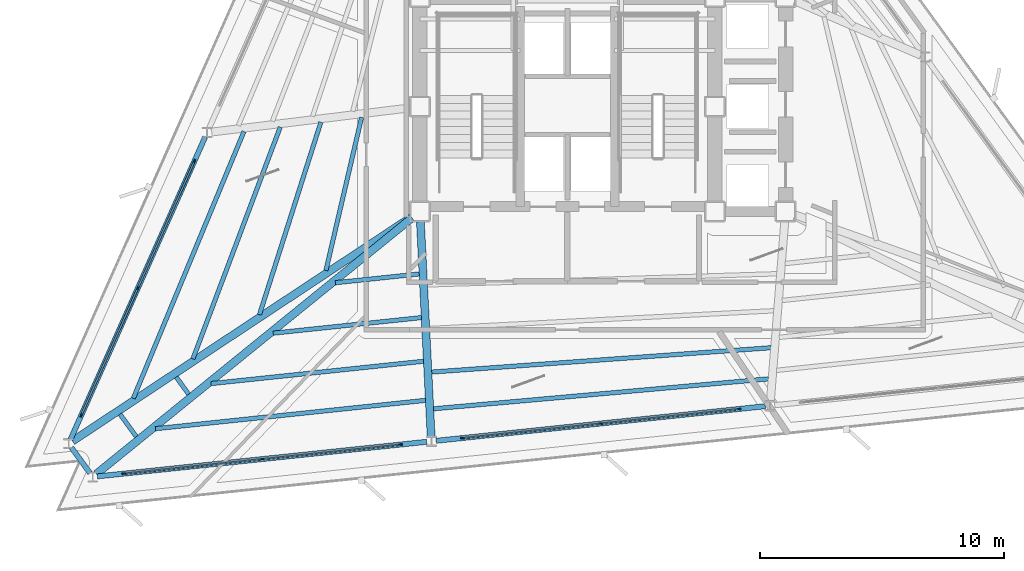
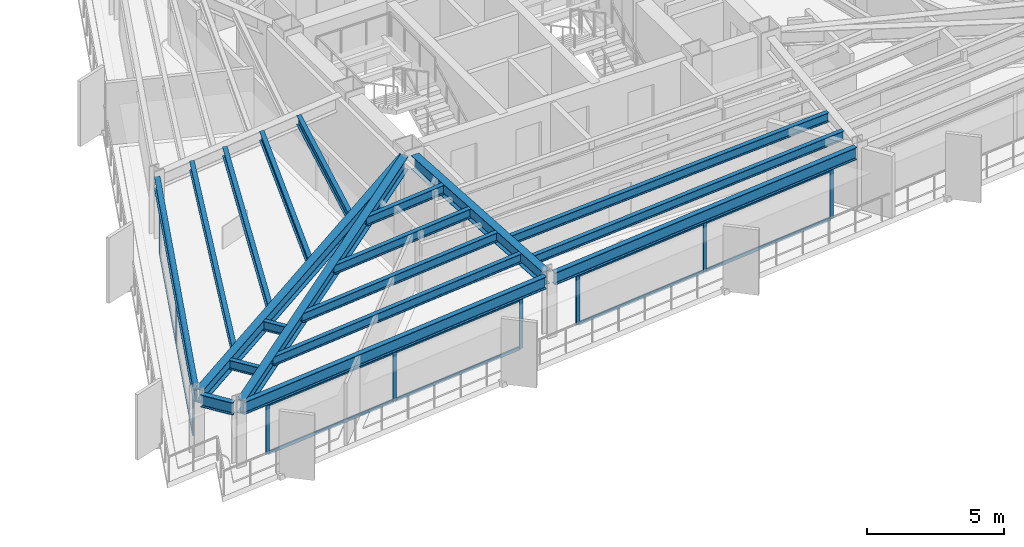
# One storey, part 2 of 13: 21 members, 19 beams, 3 elements without a shape of their own.
"""IFC4 building model written with IfcOpenShell, lengths in metres."""

from ifc_helpers import new_model, si_unit, direction, frame, origin, origin_2d, place, context, subcontext, project, spatial, rectangle, i_section, extrude, material, layer, layer_set, material_profile, profile_set, type_object, element, aggregate, save


model = new_model("IFC4")

# Units and contexts
model_context = context("Model", 3, precision=1e-05, world=origin(), true_north=direction((0.0, 1.0)))
body_context = subcontext(model_context, "Body", "Model", "MODEL_VIEW")
ifc_project = project(units=[si_unit("LENGTHUNIT", "METRE"), si_unit("AREAUNIT", "SQUARE_METRE"), si_unit("VOLUMEUNIT", "CUBIC_METRE"), si_unit("PLANEANGLEUNIT", "RADIAN"), si_unit("MASSUNIT", "GRAM", prefix="KILO")], contexts=[model_context])

# Site, building, storey
site_placement = place(None, origin())
site = spatial("IfcSite", under=ifc_project, at=site_placement, CompositionType="ELEMENT")
building_placement = place(site_placement, origin())
building = spatial("IfcBuilding", under=site, at=building_placement, Name="Rocaltana Carrier Exchange", CompositionType="ELEMENT")
storey_placement = place(building_placement, frame((0.0, 0.0, 119.840087890625)))
storey = spatial("IfcBuildingStorey", under=building, at=storey_placement, Name="L37", CompositionType="ELEMENT", Elevation=119.840087890625)

# Curtain wall, members
ifc_material_1 = material(Name="Aluminium 6063-T6", Category="aluminium")
ifc_layer = layer(ifc_material_1, 0.14990234375)
ifc_layer_set = layer_set([ifc_layer], Name="Aluminium 6063-T6")
curtain_wall_type = type_object("IfcCurtainWallType", Name="Mid-Tower Unitised Curtain Wall CW-03", PredefinedType="NOTDEFINED", material=ifc_layer_set)
curtain_wall_1_placement = place(storey_placement, origin())
curtain_wall_1 = element("IfcCurtainWall", 1, at=curtain_wall_1_placement, inside=storey, type_object=curtain_wall_type, Name="L37 CW-03 Run CW-L37-F2S3", PredefinedType="NOTDEFINED")
ifc_material_2 = material(Name="Aluminium 6063-T6", Category="aluminium")
ifc_material_profile_1 = material_profile(ifc_material_2, rectangle(XDim=0.06005859375, YDim=0.14990234375, at=origin_2d()), Name="AL-60X150")
ifc_profile_set_1 = profile_set([ifc_material_profile_1], Name="Aluminium 6063-T6")
member_type_1 = type_object("IfcMemberType", Name="CW-03 Mullion AL-60X150", PredefinedType="MULLION", material=ifc_profile_set_1)
member_1_placement = place(storey_placement, frame((-15.299560546875, -2.2333984375, 0.0), z_axis=(0.0, 0.0, 1.0), x_axis=(0.913547031517, -0.406733108077, 0.0)))
member_1 = element("IfcMember", 2, at=member_1_placement, type_object=member_type_1, Name="CW-03 mullion 1", PredefinedType="MULLION", context=body_context, shape_type="SweptSolid", body=[
    extrude(rectangle(XDim=0.06005859375, YDim=0.14990234375, at=origin_2d()), origin(), (0.0, 0.0, 1.0), 2.218017578125),
])
member_2_placement = place(storey_placement, frame((-17.619140625, -7.44384765625, 0.0), z_axis=(0.0, 0.0, 1.0), x_axis=(0.913547031517, -0.406733108077, 0.0)))
member_2 = element("IfcMember", 3, at=member_2_placement, type_object=member_type_1, Name="CW-03 mullion 2", PredefinedType="MULLION", context=body_context, shape_type="SweptSolid", body=[
    extrude(rectangle(XDim=0.06005859375, YDim=0.14990234375, at=origin_2d()), origin(), (0.0, 0.0, 1.0), 2.218017578125),
])
member_3_placement = place(storey_placement, frame((-19.93896484375, -12.654052734375, 0.0), z_axis=(0.0, 0.0, 1.0), x_axis=(0.913547031517, -0.406733108077, 0.0)))
member_3 = element("IfcMember", 4, at=member_3_placement, type_object=member_type_1, Name="CW-03 mullion 3", PredefinedType="MULLION", context=body_context, shape_type="SweptSolid", body=[
    extrude(rectangle(XDim=0.06005859375, YDim=0.14990234375, at=origin_2d()), origin(), (0.0, 0.0, 1.0), 2.218017578125),
])

curtain_wall_2_placement = place(storey_placement, origin())
curtain_wall_2 = element("IfcCurtainWall", 5, at=curtain_wall_2_placement, inside=storey, type_object=curtain_wall_type, Name="L37 CW-03 Run CW-L37-F3S1", PredefinedType="NOTDEFINED")
member_4_placement = place(storey_placement, frame((-18.196044921875, -15.052734375, 0.0), z_axis=(0.0, 0.0, 1.0), x_axis=(-0.104521806959, 0.994522594952, 0.0)))
member_4 = element("IfcMember", 6, at=member_4_placement, type_object=member_type_1, Name="CW-03 mullion 1", PredefinedType="MULLION", context=body_context, shape_type="SweptSolid", body=[
    extrude(rectangle(XDim=0.06005859375, YDim=0.14990234375, at=origin_2d()), origin(), (0.0, 0.0, 1.0), 2.218017578125),
])
member_5_placement = place(storey_placement, frame((-12.524169921875, -14.45654296875, 0.0), z_axis=(0.0, 0.0, 1.0), x_axis=(-0.104521806959, 0.994522594952, 0.0)))
member_5 = element("IfcMember", 7, at=member_5_placement, type_object=member_type_1, Name="CW-03 mullion 2", PredefinedType="MULLION", context=body_context, shape_type="SweptSolid", body=[
    extrude(rectangle(XDim=0.06005859375, YDim=0.14990234375, at=origin_2d()), origin(), (0.0, 0.0, 1.0), 2.218017578125),
])
member_6_placement = place(storey_placement, frame((-6.85205078125, -13.860595703125, 0.0), z_axis=(0.0, 0.0, 1.0), x_axis=(-0.104521806959, 0.994522594952, 0.0)))
member_6 = element("IfcMember", 8, at=member_6_placement, type_object=member_type_1, Name="CW-03 mullion 3", PredefinedType="MULLION", context=body_context, shape_type="SweptSolid", body=[
    extrude(rectangle(XDim=0.06005859375, YDim=0.14990234375, at=origin_2d()), origin(), (0.0, 0.0, 1.0), 2.218017578125),
])

curtain_wall_3_placement = place(storey_placement, origin())
curtain_wall_3 = element("IfcCurtainWall", 9, at=curtain_wall_3_placement, inside=storey, type_object=curtain_wall_type, Name="L37 CW-03 Run CW-L37-F3S2", PredefinedType="NOTDEFINED")
member_7_placement = place(storey_placement, frame((-4.30615234375, -13.5927734375, 0.0), z_axis=(0.0, 0.0, 1.0), x_axis=(-0.104529526113, 0.994521783658, 0.0)))
member_7 = element("IfcMember", 10, at=member_7_placement, type_object=member_type_1, Name="CW-03 mullion 1", PredefinedType="MULLION", context=body_context, shape_type="SweptSolid", body=[
    extrude(rectangle(XDim=0.06005859375, YDim=0.14990234375, at=origin_2d()), origin(), (0.0, 0.0, 1.0), 2.218017578125),
])
member_8_placement = place(storey_placement, frame((1.365966796875, -12.99658203125, 0.0), z_axis=(0.0, 0.0, 1.0), x_axis=(-0.104529526113, 0.994521783658, 0.0)))
member_8 = element("IfcMember", 11, at=member_8_placement, type_object=member_type_1, Name="CW-03 mullion 2", PredefinedType="MULLION", context=body_context, shape_type="SweptSolid", body=[
    extrude(rectangle(XDim=0.06005859375, YDim=0.14990234375, at=origin_2d()), origin(), (0.0, 0.0, 1.0), 2.218017578125),
])
member_9_placement = place(storey_placement, frame((7.0380859375, -12.400634765625, 0.0), z_axis=(0.0, 0.0, 1.0), x_axis=(-0.104529526113, 0.994521783658, 0.0)))
member_9 = element("IfcMember", 12, at=member_9_placement, type_object=member_type_1, Name="CW-03 mullion 3", PredefinedType="MULLION", context=body_context, shape_type="SweptSolid", body=[
    extrude(rectangle(XDim=0.06005859375, YDim=0.14990234375, at=origin_2d()), origin(), (0.0, 0.0, 1.0), 2.218017578125),
])

# Member
ifc_material_3 = material(Name="Aluminium 6063-T6", Category="aluminium")
ifc_material_profile_2 = material_profile(ifc_material_3, rectangle(XDim=0.06005859375, YDim=0.14990234375, at=origin_2d()), Name="AL-60X150")
ifc_profile_set_2 = profile_set([ifc_material_profile_2], Name="Aluminium 6063-T6")
member_type_2 = type_object("IfcMemberType", Name="CW-03 Transom AL-60X150", PredefinedType="USERDEFINED", material=ifc_profile_set_2)
member_10_placement = place(storey_placement, frame((-15.311767578125, -2.260986328125, 0.030029296875), z_axis=(-0.406704359788, -0.913559830405, 0.0), x_axis=(0.913559830405, -0.406704359788, 0.0)))
member_10 = element("IfcMember", 13, at=member_10_placement, type_object=member_type_2, Name="CW-03 transom 1.1", ObjectType="TRANSOM", PredefinedType="USERDEFINED", context=body_context, shape_type="SweptSolid", body=[
    extrude(rectangle(XDim=0.06005859375, YDim=0.14990234375, at=origin_2d()), origin(), (0.0, 0.0, 1.0), 5.643310546875),
])

member_11_placement = place(storey_placement, frame((-15.311767578125, -2.260986328125, 2.18798828125), z_axis=(-0.406704359788, -0.913559830405, 0.0), x_axis=(0.913559830405, -0.406704359788, 0.0)))
member_11 = element("IfcMember", 14, at=member_11_placement, type_object=member_type_2, Name="CW-03 transom 1.2", ObjectType="TRANSOM", PredefinedType="USERDEFINED", context=body_context, shape_type="SweptSolid", body=[
    extrude(rectangle(XDim=0.06005859375, YDim=0.14990234375, at=origin_2d()), origin(), (0.0, 0.0, 1.0), 5.643310546875),
])

member_12_placement = place(storey_placement, frame((-17.63134765625, -7.47119140625, 0.030029296875), z_axis=(-0.406740464784, -0.913543756099, 0.0), x_axis=(0.913543756099, -0.406740464784, 0.0)))
member_12 = element("IfcMember", 15, at=member_12_placement, type_object=member_type_2, Name="CW-03 transom 2.1", ObjectType="TRANSOM", PredefinedType="USERDEFINED", context=body_context, shape_type="SweptSolid", body=[
    extrude(rectangle(XDim=0.06005859375, YDim=0.14990234375, at=origin_2d()), origin(), (0.0, 0.0, 1.0), 5.643310546875),
])

member_13_placement = place(storey_placement, frame((-17.63134765625, -7.47119140625, 2.18798828125), z_axis=(-0.406740464784, -0.913543756099, 0.0), x_axis=(0.913543756099, -0.406740464784, 0.0)))
member_13 = element("IfcMember", 16, at=member_13_placement, type_object=member_type_2, Name="CW-03 transom 2.2", ObjectType="TRANSOM", PredefinedType="USERDEFINED", context=body_context, shape_type="SweptSolid", body=[
    extrude(rectangle(XDim=0.06005859375, YDim=0.14990234375, at=origin_2d()), origin(), (0.0, 0.0, 1.0), 5.643310546875),
])

aggregate(curtain_wall_1, [member_1, member_2, member_3, member_10, member_11, member_12, member_13])

member_14_placement = place(storey_placement, frame((-18.166259765625, -15.049560546875, 0.030029296875), z_axis=(0.99452250772, 0.104522636969, 0.0), x_axis=(-0.104522636969, 0.99452250772, 0.0)))
member_14 = element("IfcMember", 17, at=member_14_placement, type_object=member_type_2, Name="CW-03 transom 1.1", ObjectType="TRANSOM", PredefinedType="USERDEFINED", context=body_context, shape_type="SweptSolid", body=[
    extrude(rectangle(XDim=0.06005859375, YDim=0.14990234375, at=origin_2d()), origin(), (0.0, 0.0, 1.0), 5.643310546875),
])

member_15_placement = place(storey_placement, frame((-18.166259765625, -15.049560546875, 2.18798828125), z_axis=(0.99452250772, 0.104522636969, 0.0), x_axis=(-0.104522636969, 0.99452250772, 0.0)))
member_15 = element("IfcMember", 18, at=member_15_placement, type_object=member_type_2, Name="CW-03 transom 1.2", ObjectType="TRANSOM", PredefinedType="USERDEFINED", context=body_context, shape_type="SweptSolid", body=[
    extrude(rectangle(XDim=0.06005859375, YDim=0.14990234375, at=origin_2d()), origin(), (0.0, 0.0, 1.0), 5.643310546875),
])

member_16_placement = place(storey_placement, frame((-12.494384765625, -14.45361328125, 0.030029296875), z_axis=(0.99452250772, 0.104522636969, 0.0), x_axis=(-0.104522636969, 0.99452250772, 0.0)))
member_16 = element("IfcMember", 19, at=member_16_placement, type_object=member_type_2, Name="CW-03 transom 2.1", ObjectType="TRANSOM", PredefinedType="USERDEFINED", context=body_context, shape_type="SweptSolid", body=[
    extrude(rectangle(XDim=0.06005859375, YDim=0.14990234375, at=origin_2d()), origin(), (0.0, 0.0, 1.0), 5.643310546875),
])

member_17_placement = place(storey_placement, frame((-12.494384765625, -14.45361328125, 2.18798828125), z_axis=(0.99452250772, 0.104522636969, 0.0), x_axis=(-0.104522636969, 0.99452250772, 0.0)))
member_17 = element("IfcMember", 20, at=member_17_placement, type_object=member_type_2, Name="CW-03 transom 2.2", ObjectType="TRANSOM", PredefinedType="USERDEFINED", context=body_context, shape_type="SweptSolid", body=[
    extrude(rectangle(XDim=0.06005859375, YDim=0.14990234375, at=origin_2d()), origin(), (0.0, 0.0, 1.0), 5.643310546875),
])

aggregate(curtain_wall_2, [member_4, member_5, member_6, member_14, member_15, member_16, member_17])

member_18_placement = place(storey_placement, frame((-4.276123046875, -13.58984375, 0.030029296875), z_axis=(0.994518009659, 0.104565426716, 0.0), x_axis=(-0.104565426716, 0.994518009659, 0.0)))
member_18 = element("IfcMember", 21, at=member_18_placement, type_object=member_type_2, Name="CW-03 transom 1.1", ObjectType="TRANSOM", PredefinedType="USERDEFINED", context=body_context, shape_type="SweptSolid", body=[
    extrude(rectangle(XDim=0.06005859375, YDim=0.14990234375, at=origin_2d()), origin(), (0.0, 0.0, 1.0), 5.643310546875),
])

member_19_placement = place(storey_placement, frame((-4.276123046875, -13.58984375, 2.18798828125), z_axis=(0.994518009659, 0.104565426716, 0.0), x_axis=(-0.104565426716, 0.994518009659, 0.0)))
member_19 = element("IfcMember", 22, at=member_19_placement, type_object=member_type_2, Name="CW-03 transom 1.2", ObjectType="TRANSOM", PredefinedType="USERDEFINED", context=body_context, shape_type="SweptSolid", body=[
    extrude(rectangle(XDim=0.06005859375, YDim=0.14990234375, at=origin_2d()), origin(), (0.0, 0.0, 1.0), 5.643310546875),
])

member_20_placement = place(storey_placement, frame((1.395751953125, -12.99365234375, 0.030029296875), z_axis=(0.994518482657, 0.104560927947, 0.0), x_axis=(-0.104560927947, 0.994518482657, 0.0)))
member_20 = element("IfcMember", 23, at=member_20_placement, type_object=member_type_2, Name="CW-03 transom 2.1", ObjectType="TRANSOM", PredefinedType="USERDEFINED", context=body_context, shape_type="SweptSolid", body=[
    extrude(rectangle(XDim=0.06005859375, YDim=0.14990234375, at=origin_2d()), origin(), (0.0, 0.0, 1.0), 5.6435546875),
])

member_21_placement = place(storey_placement, frame((1.395751953125, -12.99365234375, 2.18798828125), z_axis=(0.994518482657, 0.104560927947, 0.0), x_axis=(-0.104560927947, 0.994518482657, 0.0)))
member_21 = element("IfcMember", 24, at=member_21_placement, type_object=member_type_2, Name="CW-03 transom 2.2", ObjectType="TRANSOM", PredefinedType="USERDEFINED", context=body_context, shape_type="SweptSolid", body=[
    extrude(rectangle(XDim=0.06005859375, YDim=0.14990234375, at=origin_2d()), origin(), (0.0, 0.0, 1.0), 5.6435546875),
])

aggregate(curtain_wall_3, [member_7, member_8, member_9, member_18, member_19, member_20, member_21])

# Beams
ifc_material_4 = material(Name="Steel S355", Category="steel")
ifc_material_profile_3 = material_profile(ifc_material_4, i_section(OverallWidth=0.179931640625, OverallDepth=0.4130859375, WebThickness=0.009765625, FlangeThickness=0.01611328125, FilletRadius=0.012939453125, at=origin_2d()), Name="W16X50")
ifc_profile_set_3 = profile_set([ifc_material_profile_3], Name="Steel S355")
beam_type_1 = type_object("IfcBeamType", Name="Floor Joist W16X50", PredefinedType="JOIST", material=ifc_profile_set_3)
beam_1_placement = place(storey_placement, frame((-8.442138671875, -0.439208984375, 2.581298828125), z_axis=(-0.22689687838, -0.973918788494, 0.0), x_axis=(0.973918788494, -0.22689687838, 0.0)))
element("IfcBeam", 25, at=beam_1_placement, inside=storey, type_object=beam_type_1, Name="FJ-L37-07-1", PredefinedType="JOIST", context=body_context, shape_type="SweptSolid", body=[
    extrude(i_section(OverallWidth=0.179931640625, OverallDepth=0.4130859375, WebThickness=0.009765625, FlangeThickness=0.01611328125, FilletRadius=0.012939453125, at=origin_2d()), origin(), (0.0, 0.0, 1.0), 6.448486328125),
])
beam_2_placement = place(storey_placement, frame((-10.11279296875, -0.63818359375, 2.581298828125), z_axis=(-0.303932068728, -0.952693706077, 0.0), x_axis=(0.952693706077, -0.303932068728, 0.0)))
element("IfcBeam", 26, at=beam_2_placement, inside=storey, type_object=beam_type_1, Name="FJ-L37-07-2", PredefinedType="JOIST", context=body_context, shape_type="SweptSolid", body=[
    extrude(i_section(OverallWidth=0.179931640625, OverallDepth=0.4130859375, WebThickness=0.009765625, FlangeThickness=0.01611328125, FilletRadius=0.012939453125, at=origin_2d()), origin(), (0.0, 0.0, 1.0), 8.285888671875),
])
beam_3_placement = place(storey_placement, frame((-11.77880859375, -0.837646484375, 2.581298828125), z_axis=(-0.352616248734, -0.935768016727, 0.0), x_axis=(0.935768016727, -0.352616248734, 0.0)))
element("IfcBeam", 27, at=beam_3_placement, inside=storey, type_object=beam_type_1, Name="FJ-L37-07-3", PredefinedType="JOIST", context=body_context, shape_type="SweptSolid", body=[
    extrude(i_section(OverallWidth=0.179931640625, OverallDepth=0.4130859375, WebThickness=0.009765625, FlangeThickness=0.01611328125, FilletRadius=0.012939453125, at=origin_2d()), origin(), (0.0, 0.0, 1.0), 10.1591796875),
])
beam_4_placement = place(storey_placement, frame((-13.267333984375, -1.016845703125, 2.581298828125), z_axis=(-0.382964861888, -0.923762910361, 0.0), x_axis=(0.923762910361, -0.382964861888, 0.0)))
element("IfcBeam", 28, at=beam_4_placement, inside=storey, type_object=beam_type_1, Name="FJ-L37-07-4", PredefinedType="JOIST", context=body_context, shape_type="SweptSolid", body=[
    extrude(i_section(OverallWidth=0.179931640625, OverallDepth=0.4130859375, WebThickness=0.009765625, FlangeThickness=0.01611328125, FilletRadius=0.012939453125, at=origin_2d()), origin(), (0.0, 0.0, 1.0), 11.851806640625),
])
beam_5_placement = place(storey_placement, frame((-16.044921875, -11.092529296875, 2.581298828125), z_axis=(0.587636081789, -0.80912535208, 0.0), x_axis=(0.80912535208, 0.587636081789, 0.0)))
element("IfcBeam", 29, at=beam_5_placement, inside=storey, type_object=beam_type_1, Name="FJ-L37-08-3", PredefinedType="JOIST", context=body_context, shape_type="SweptSolid", body=[
    extrude(i_section(OverallWidth=0.179931640625, OverallDepth=0.4130859375, WebThickness=0.009765625, FlangeThickness=0.01611328125, FilletRadius=0.012939453125, at=origin_2d()), origin(), (0.0, 0.0, 1.0), 0.867431640625),
])
beam_6_placement = place(storey_placement, frame((-18.3505859375, -12.6162109375, 2.581298828125), z_axis=(0.587737652756, -0.809051575323, 0.0), x_axis=(0.809051575323, 0.587737652756, 0.0)))
element("IfcBeam", 30, at=beam_6_placement, inside=storey, type_object=beam_type_1, Name="FJ-L37-08-4", PredefinedType="JOIST", context=body_context, shape_type="SweptSolid", body=[
    extrude(i_section(OverallWidth=0.179931640625, OverallDepth=0.4130859375, WebThickness=0.009765625, FlangeThickness=0.01611328125, FilletRadius=0.012939453125, at=origin_2d()), origin(), (0.0, 0.0, 1.0), 1.137451171875),
])
beam_7_placement = place(storey_placement, frame((-9.51806640625, -7.22314453125, 2.581298828125), z_axis=(0.994522069836, 0.104526803309, 0.0), x_axis=(-0.104526803309, 0.994522069836, 0.0)))
element("IfcBeam", 31, at=beam_7_placement, inside=storey, type_object=beam_type_1, Name="FJ-L37-09-1", PredefinedType="JOIST", context=body_context, shape_type="SweptSolid", body=[
    extrude(i_section(OverallWidth=0.179931640625, OverallDepth=0.4130859375, WebThickness=0.009765625, FlangeThickness=0.01611328125, FilletRadius=0.012939453125, at=origin_2d()), origin(), (0.0, 0.0, 1.0), 3.459228515625),
])
beam_8_placement = place(storey_placement, frame((-12.067626953125, -9.29150390625, 2.581298828125), z_axis=(0.994522291709, 0.104524692265, 0.0), x_axis=(-0.104524692265, 0.994522291709, 0.0)))
element("IfcBeam", 32, at=beam_8_placement, inside=storey, type_object=beam_type_1, Name="FJ-L37-09-2", PredefinedType="JOIST", context=body_context, shape_type="SweptSolid", body=[
    extrude(i_section(OverallWidth=0.179931640625, OverallDepth=0.4130859375, WebThickness=0.009765625, FlangeThickness=0.01611328125, FilletRadius=0.012939453125, at=origin_2d()), origin(), (0.0, 0.0, 1.0), 6.112548828125),
])
beam_9_placement = place(storey_placement, frame((-14.6171875, -11.360107421875, 2.581298828125), z_axis=(0.994519483766, 0.104551405586, 0.0), x_axis=(-0.104551405586, 0.994519483766, 0.0)))
element("IfcBeam", 33, at=beam_9_placement, inside=storey, type_object=beam_type_1, Name="FJ-L37-09-3", PredefinedType="JOIST", context=body_context, shape_type="SweptSolid", body=[
    extrude(i_section(OverallWidth=0.179931640625, OverallDepth=0.4130859375, WebThickness=0.009765625, FlangeThickness=0.01611328125, FilletRadius=0.012939453125, at=origin_2d()), origin(), (0.0, 0.0, 1.0), 8.76611328125),
])
beam_10_placement = place(storey_placement, frame((-16.898681640625, -13.210693359375, 2.581298828125), z_axis=(0.994521531783, 0.104531922494, 0.0), x_axis=(-0.104531922494, 0.994521531783, 0.0)))
element("IfcBeam", 34, at=beam_10_placement, inside=storey, type_object=beam_type_1, Name="FJ-L37-09-4", PredefinedType="JOIST", context=body_context, shape_type="SweptSolid", body=[
    extrude(i_section(OverallWidth=0.179931640625, OverallDepth=0.4130859375, WebThickness=0.009765625, FlangeThickness=0.01611328125, FilletRadius=0.012939453125, at=origin_2d()), origin(), (0.0, 0.0, 1.0), 11.140625),
])
beam_11_placement = place(storey_placement, frame((-5.564697265625, -10.887451171875, 2.581298828125), z_axis=(0.99742902588, 0.071661274976, 0.0), x_axis=(-0.071661274976, 0.99742902588, 0.0)))
element("IfcBeam", 35, at=beam_11_placement, inside=storey, type_object=beam_type_1, Name="FJ-L37-10-3", PredefinedType="JOIST", context=body_context, shape_type="SweptSolid", body=[
    extrude(i_section(OverallWidth=0.179931640625, OverallDepth=0.4130859375, WebThickness=0.009765625, FlangeThickness=0.01611328125, FilletRadius=0.012939453125, at=origin_2d()), origin(), (0.0, 0.0, 1.0), 13.94775390625),
])
beam_12_placement = place(storey_placement, frame((-5.489501953125, -12.39306640625, 2.581298828125), z_axis=(0.996028205835, 0.089038268076, 0.0), x_axis=(-0.089038268076, 0.996028205835, 0.0)))
element("IfcBeam", 36, at=beam_12_placement, inside=storey, type_object=beam_type_1, Name="FJ-L37-10-4", PredefinedType="JOIST", context=body_context, shape_type="SweptSolid", body=[
    extrude(i_section(OverallWidth=0.179931640625, OverallDepth=0.4130859375, WebThickness=0.009765625, FlangeThickness=0.01611328125, FilletRadius=0.012939453125, at=origin_2d()), origin(), (0.0, 0.0, 1.0), 13.789306640625),
])
ifc_material_5 = material(Name="Steel S355", Category="steel")
ifc_material_profile_4 = material_profile(ifc_material_5, i_section(OverallWidth=0.323974609375, OverallDepth=0.611083984375, WebThickness=0.0126953125, FlangeThickness=0.01904296875, FilletRadius=0.01611328125, at=origin_2d()), Name="W24X104")
ifc_profile_set_4 = profile_set([ifc_material_profile_4], Name="Steel S355")
beam_type_2 = type_object("IfcBeamType", Name="Radial Girder W24X104", PredefinedType="BEAM", material=ifc_profile_set_4)
beam_13_placement = place(storey_placement, frame((-6.39794921875, -4.52978515625, 2.482421875), z_axis=(-0.834257562718, -0.551374935093, 0.0), x_axis=(0.551374935093, -0.834257562718, 0.0)))
element("IfcBeam", 37, at=beam_13_placement, inside=storey, type_object=beam_type_2, Name="RG-L37-08", PredefinedType="BEAM", context=body_context, shape_type="SweptSolid", body=[
    extrude(i_section(OverallWidth=0.323974609375, OverallDepth=0.611083984375, WebThickness=0.0126953125, FlangeThickness=0.01904296875, FilletRadius=0.01611328125, at=origin_2d()), origin(), (0.0, 0.0, 1.0), 16.66015625),
])
beam_14_placement = place(storey_placement, frame((-6.373779296875, -4.562744140625, 2.482421875), z_axis=(-0.776586459835, -0.630010690704, 0.0), x_axis=(0.630010690704, -0.776586459835, 0.0)))
element("IfcBeam", 38, at=beam_14_placement, inside=storey, type_object=beam_type_2, Name="RG-L37-09", PredefinedType="BEAM", context=body_context, shape_type="SweptSolid", body=[
    extrude(i_section(OverallWidth=0.323974609375, OverallDepth=0.611083984375, WebThickness=0.0126953125, FlangeThickness=0.01904296875, FilletRadius=0.01611328125, at=origin_2d()), origin(), (0.0, 0.0, 1.0), 16.66796875),
])
beam_15_placement = place(storey_placement, frame((-6.029296875, -4.716552734375, 2.482421875), z_axis=(0.049898989205, -0.998754269516, 0.0), x_axis=(0.998754269516, 0.049898989205, 0.0)))
element("IfcBeam", 39, at=beam_15_placement, inside=storey, type_object=beam_type_2, Name="RG-L37-10", PredefinedType="BEAM", context=body_context, shape_type="SweptSolid", body=[
    extrude(i_section(OverallWidth=0.323974609375, OverallDepth=0.611083984375, WebThickness=0.0126953125, FlangeThickness=0.01904296875, FilletRadius=0.01611328125, at=origin_2d()), origin(), (0.0, 0.0, 1.0), 8.826416015625),
])
ifc_material_6 = material(Name="Steel S355", Category="steel")
ifc_material_profile_5 = material_profile(ifc_material_6, i_section(OverallWidth=0.2119140625, OverallDepth=0.5439453125, WebThickness=0.01318359375, FlangeThickness=0.021240234375, FilletRadius=0.014892578125, at=origin_2d()), Name="W21X83")
ifc_profile_set_5 = profile_set([ifc_material_profile_5], Name="Steel S355")
beam_type_3 = type_object("IfcBeamType", Name="Spandrel Edge Beam W21X83", PredefinedType="SPANDREL", material=ifc_profile_set_5)
beam_16_placement = place(storey_placement, frame((-14.858154296875, -1.2421875, 2.515869140625), z_axis=(-0.406737349921, -0.913545142935, 0.0), x_axis=(0.913545142935, -0.406737349921, 0.0)))
element("IfcBeam", 40, at=beam_16_placement, inside=storey, type_object=beam_type_3, Name="SP-L37-07", PredefinedType="SPANDREL", context=body_context, shape_type="SweptSolid", body=[
    extrude(i_section(OverallWidth=0.2119140625, OverallDepth=0.5439453125, WebThickness=0.01318359375, FlangeThickness=0.021240234375, FilletRadius=0.014892578125, at=origin_2d()), origin(), (0.0, 0.0, 1.0), 13.576904296875),
])
beam_17_placement = place(storey_placement, frame((-20.344970703125, -13.981201171875, 2.515869140625), z_axis=(0.587835350747, -0.808980593347, 0.0), x_axis=(0.808980593347, 0.587835350747, 0.0)))
element("IfcBeam", 41, at=beam_17_placement, inside=storey, type_object=beam_type_3, Name="SP-L37-08", PredefinedType="SPANDREL", context=body_context, shape_type="SweptSolid", body=[
    extrude(i_section(OverallWidth=0.2119140625, OverallDepth=0.5439453125, WebThickness=0.01318359375, FlangeThickness=0.021240234375, FilletRadius=0.014892578125, at=origin_2d()), origin(), (0.0, 0.0, 1.0), 1.294921875),
])
for number, where, z_axis, x_axis, name in (
    (42, (-19.275390625, -15.166259765625, 2.515869140625), (0.994521698777, 0.104530333689, 0.0), (-0.104530333689, 0.994521698777, 0.0), "SP-L37-09"),
    (43, (-5.38525390625, -13.706298828125, 2.515869140625), (0.994521698777, 0.104530333689, 0.0), (-0.104530333689, 0.994521698777, 0.0), "SP-L37-10"),
):
    element("IfcBeam", number, at=place(storey_placement, frame(where, z_axis=z_axis, x_axis=x_axis)), inside=storey, type_object=beam_type_3, Name=name, PredefinedType="SPANDREL", context=body_context, shape_type="SweptSolid", body=[
        extrude(i_section(OverallWidth=0.2119140625, OverallDepth=0.5439453125, WebThickness=0.01318359375, FlangeThickness=0.021240234375, FilletRadius=0.014892578125, at=origin_2d()), origin(), (0.0, 0.0, 1.0), 13.576904296875),
    ])

save(model, "model.ifc")
